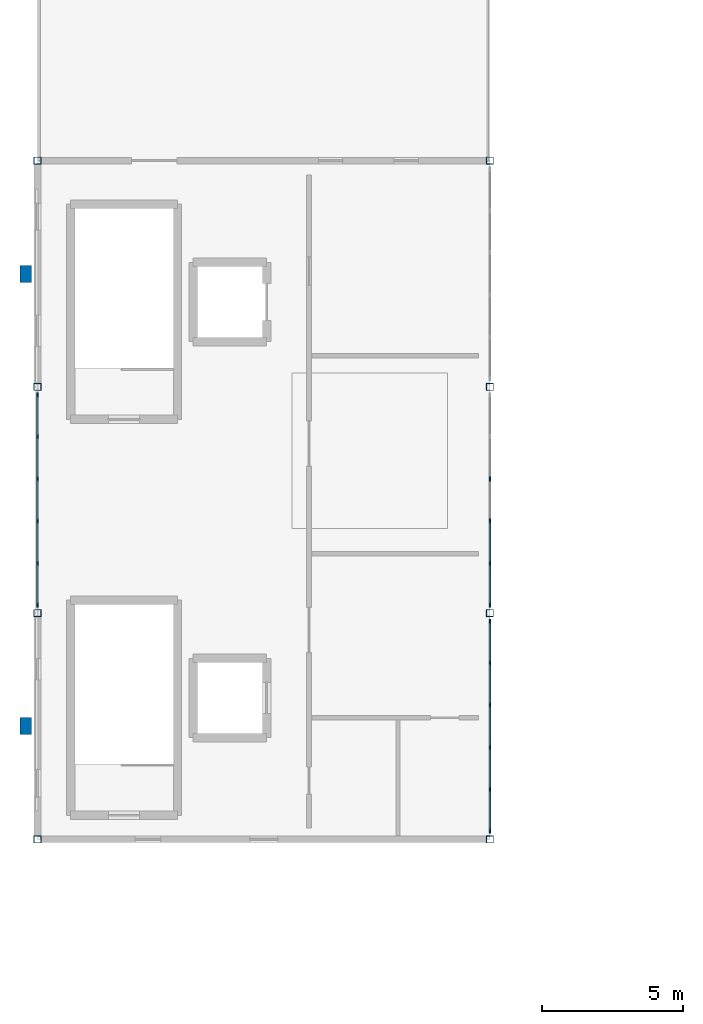
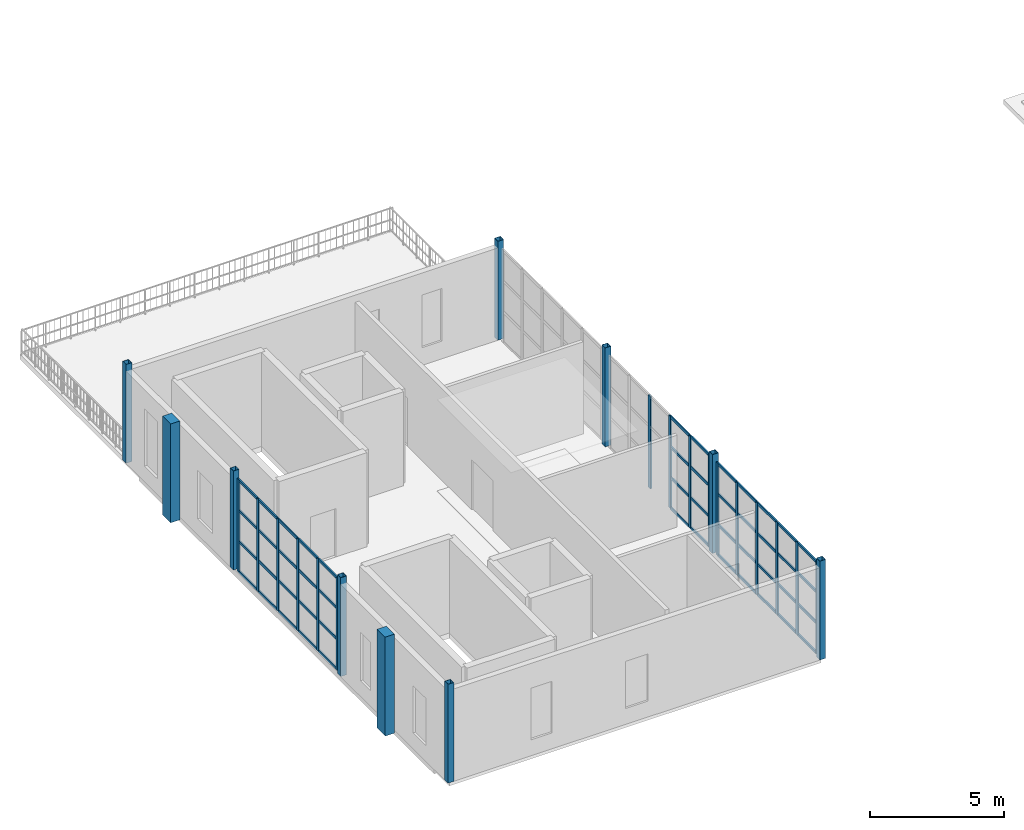
# One storey, part 1 of 9: 64 members, 10 columns, 3 elements without a shape of their own.
"""IFC4 building model written with IfcOpenShell, lengths in metres."""

import ifcopenshell
import ifcopenshell.guid

model = None  # the IFC model being written
_history = None  # IfcOwnerHistory: only IFC2X3 demands one
_inside = {}  # id of a spatial element -> (the spatial element, [elements in it])
_under = {}  # id of a project, library or spatial element -> (it, [spatial elements below it])
_declared = {}  # id of a project -> (the project, [libraries it declares])
_typed = {}  # id of a type object -> (the type object, [elements of that type])
_made_of = {}  # id of a material, layer set ... -> (it, [elements and type objects made of it])


def new_model(schema):
    """Start an empty IFC model of exactly this schema.

    Asked for "IFC4X3", IfcOpenShell would pick the latest addendum, in which some entities
    have other attributes; the version numbers below select the first issue.
    IFC2X3 requires an IfcOwnerHistory on every rooted entity: one is made here for all.
    """
    global model, _history
    if schema == "IFC4X3":
        model = ifcopenshell.file(schema_version=(4, 3, 0, 0))
    else:
        model = ifcopenshell.file(schema=schema)
    _inside.clear()
    _under.clear()
    _declared.clear()
    _typed.clear()
    _made_of.clear()
    _history = None
    if model.schema == "IFC2X3":
        org = make("IfcOrganization", Name="unknown")
        user = make(
            "IfcPersonAndOrganization",
            ThePerson=make("IfcPerson", FamilyName="unknown"),
            TheOrganization=org,
        )
        app = make(
            "IfcApplication",
            ApplicationDeveloper=org,
            Version="unknown",
            ApplicationFullName="unknown",
            ApplicationIdentifier="unknown",
        )
        _history = make(
            "IfcOwnerHistory",
            OwningUser=user,
            OwningApplication=app,
            ChangeAction="ADDED",
            CreationDate=0,
        )
    return model


def make(cls, **values):
    """One entity of the class cls with the attributes given. An attribute that is None is left unset."""
    return model.create_entity(
        cls, **{name: value for name, value in values.items() if value is not None}
    )


def rooted(cls, **values):
    """An entity with a GlobalId (a new one), such as an element, a storey or a relation."""
    return make(cls, GlobalId=ifcopenshell.guid.new(), OwnerHistory=_history, **values)


def si_unit(unit_type, name, prefix=None):
    """IfcSIUnit, for example si_unit("LENGTHUNIT", "METRE", prefix="MILLI")."""
    return make("IfcSIUnit", UnitType=unit_type, Prefix=prefix, Name=name)


def assignment(units):
    """IfcUnitAssignment: the units of a project."""
    return None if units is None else make("IfcUnitAssignment", Units=units)


def point(xyz):
    """IfcCartesianPoint."""
    return None if xyz is None else make("IfcCartesianPoint", Coordinates=xyz)


def direction(xyz):
    """IfcDirection."""
    return None if xyz is None else make("IfcDirection", DirectionRatios=xyz)


def frame(location, z_axis=None, x_axis=None):
    """IfcAxis2Placement3D, a coordinate frame: its origin and axes. An axis left out is left unset."""
    return make(
        "IfcAxis2Placement3D",
        Location=point(location),
        Axis=direction(z_axis),
        RefDirection=direction(x_axis),
    )


def frame_2d(location, x_axis=None):
    """IfcAxis2Placement2D, a coordinate frame in the plane: its origin and x axis."""
    return make(
        "IfcAxis2Placement2D", Location=point(location), RefDirection=direction(x_axis)
    )


def origin():
    """The frame at (0, 0, 0) with its axes left unset."""
    return frame((0.0, 0.0, 0.0))


def origin_2d():
    """The frame at (0, 0) in the plane with its x axis left unset."""
    return frame_2d((0.0, 0.0))


def place(relative_to, where):
    """IfcLocalPlacement: puts the frame where relative to a parent placement (None: the world)."""
    return make(
        "IfcLocalPlacement", PlacementRelTo=relative_to, RelativePlacement=where
    )


def context(
    kind, dimensions, precision=None, world=None, true_north=None, identifier=None
):
    """IfcGeometricRepresentationContext, for example the 3D "Model" context."""
    return make(
        "IfcGeometricRepresentationContext",
        ContextIdentifier=identifier,
        ContextType=kind,
        CoordinateSpaceDimension=dimensions,
        Precision=precision,
        WorldCoordinateSystem=world,
        TrueNorth=true_north,
    )


def subcontext(parent, identifier, kind, view, scale=None):
    """IfcGeometricRepresentationSubContext, for example "Body" below "Model"."""
    return make(
        "IfcGeometricRepresentationSubContext",
        ContextIdentifier=identifier,
        ContextType=kind,
        ParentContext=parent,
        TargetScale=scale,
        TargetView=view,
    )


def project(units=None, contexts=None):
    """IfcProject with its units and contexts."""
    return rooted(
        "IfcProject",
        Name="project",
        RepresentationContexts=contexts,
        UnitsInContext=assignment(units),
    )


def spatial(cls, under=None, at=None, **own):
    """A site, building, storey or space (cls), placed at a placement, below another one or the project."""
    s = rooted(cls, ObjectPlacement=at, **own)
    if under is not None:
        _under.setdefault(under.id(), (under, []))[1].append(s)
    return s


def profile(cls, at=None, kind="AREA", **sizes):
    """A parametric profile (cls). Its sizes go by their IFC names, for example OverallWidth=200.0."""
    return make(cls, ProfileType=kind, Position=at, **sizes)


def rectangle(**sizes):
    """IfcRectangleProfileDef."""
    return profile("IfcRectangleProfileDef", **sizes)


def hollow_rectangle(**sizes):
    """IfcRectangleHollowProfileDef."""
    return profile("IfcRectangleHollowProfileDef", **sizes)


def extrude(swept, where, along, depth):
    """IfcExtrudedAreaSolid: the profile swept, set in the frame where, extruded along a direction by depth."""
    return make(
        "IfcExtrudedAreaSolid",
        SweptArea=swept,
        Position=where,
        ExtrudedDirection=direction(along),
        Depth=depth,
    )


def shape(context_of_items, identifier, shape_type, items):
    """IfcShapeRepresentation: the items that make up one representation, for example the "Body"."""
    return make(
        "IfcShapeRepresentation",
        ContextOfItems=context_of_items,
        RepresentationIdentifier=identifier,
        RepresentationType=shape_type,
        Items=items,
    )


def material(Name=None, Category=None):
    """IfcMaterial."""
    return make("IfcMaterial", Name=Name, Category=Category)


def material_profile(
    of_material, cross_section, Name=None, Category=None, Priority=None
):
    """IfcMaterialProfile: a cross section and its material."""
    return make(
        "IfcMaterialProfile",
        Name=Name,
        Material=of_material,
        Profile=cross_section,
        Priority=Priority,
        Category=Category,
    )


def profile_set(profiles, Name=None, composite=None):
    """IfcMaterialProfileSet."""
    return make(
        "IfcMaterialProfileSet",
        Name=Name,
        MaterialProfiles=profiles,
        CompositeProfile=composite,
    )


def made_of(thing, what):
    """Note that an element or type object is made of a material, layer set ...; save() writes the relation."""
    if what is not None:
        _made_of.setdefault(what.id(), (what, []))[1].append(thing)
    return thing


def type_object(cls, material=None, **own):
    """A type object (cls), such as IfcWallType, which elements share."""
    return made_of(rooted(cls, **own), material)


def element(
    cls,
    number,
    at=None,
    inside=None,
    cuts=None,
    type_object=None,
    material=None,
    context=None,
    identifier="Body",
    shape_type=None,
    held_by="IfcProductDefinitionShape",
    body=None,
    shapes=None,
    **own,
):
    """One element of the class cls, such as IfcWall. Its Tag is "e" and its number.

    at: its placement. inside: the storey or other place that contains it. cuts: it is an
    opening in that element (IfcRelVoidsElement). A single representation is given by context,
    identifier, shape_type and body (its items); several are given by shapes. held_by: the class
    of the entity that holds the representations. save() writes the other relations.
    """
    e = rooted(cls, Tag="e%d" % number, ObjectPlacement=at, **own)
    if body is not None:
        shapes = [shape(context, identifier, shape_type, body)]
    if shapes is not None:
        e.Representation = make(held_by, Representations=shapes)
    if inside is not None:
        _inside.setdefault(inside.id(), (inside, []))[1].append(e)
    if cuts is not None:
        rooted(
            "IfcRelVoidsElement", RelatingBuildingElement=cuts, RelatedOpeningElement=e
        )
    if type_object is not None:
        _typed.setdefault(type_object.id(), (type_object, []))[1].append(e)
    return made_of(e, material)


def aggregate(whole, parts):
    """IfcRelAggregates: a whole, such as a stair, and the parts it consists of."""
    return rooted("IfcRelAggregates", RelatingObject=whole, RelatedObjects=parts)


def save(model, path):
    """Write the relations noted so far, then the file.

    IfcRelAggregates (storeys below a building ...), IfcRelContainedInSpatialStructure (elements
    in a storey), IfcRelDefinesByType, IfcRelAssociatesMaterial and IfcRelDeclares: one each for
    every whole, place, type object, material and project.
    """
    for whole, parts in _under.values():
        aggregate(whole, parts)
    for where, things in _inside.values():
        rooted(
            "IfcRelContainedInSpatialStructure",
            RelatedElements=things,
            RelatingStructure=where,
        )
    for kind, things in _typed.values():
        rooted("IfcRelDefinesByType", RelatedObjects=things, RelatingType=kind)
    for what, things in _made_of.values():
        rooted("IfcRelAssociatesMaterial", RelatedObjects=things, RelatingMaterial=what)
    for by, libraries in _declared.values():
        rooted("IfcRelDeclares", RelatingContext=by, RelatedDefinitions=libraries)
    model.write(path)


model = new_model("IFC4")

# Units and contexts
model_context = context("Model", 3, precision=1e-05, world=origin(), true_north=direction((0.0, 1.0)))
body_context = subcontext(model_context, "Body", "Model", "MODEL_VIEW")
ifc_project = project(units=[si_unit("LENGTHUNIT", "METRE"), si_unit("AREAUNIT", "SQUARE_METRE"), si_unit("VOLUMEUNIT", "CUBIC_METRE"), si_unit("PLANEANGLEUNIT", "RADIAN"), si_unit("MASSUNIT", "GRAM", prefix="KILO")], contexts=[model_context])

# Site, building, storey
site_placement = place(None, origin())
site = spatial("IfcSite", under=ifc_project, at=site_placement, CompositionType="ELEMENT")
building_placement = place(site_placement, origin())
building = spatial("IfcBuilding", under=site, at=building_placement, Name="Serraluz Foothill Cableway Terminal", CompositionType="ELEMENT")
storey_placement = place(building_placement, frame((0.0, 0.0, 19.800048828125)))
storey = spatial("IfcBuildingStorey", under=building, at=storey_placement, Name="L04", CompositionType="ELEMENT", Elevation=19.800048828125)

# Columns
ifc_material_1 = material(Name="Steel ASTM A572 Grade 50", Category="steel")
ifc_material_profile_1 = material_profile(ifc_material_1, hollow_rectangle(XDim=0.25, YDim=0.25, WallThickness=0.011962890625, at=origin_2d()), Name="HSS250X250X12")
ifc_profile_set_1 = profile_set([ifc_material_profile_1], Name="Steel ASTM A572 Grade 50")
column_type_1 = type_object("IfcColumnType", Name="TYP-COL-HSS250", PredefinedType="COLUMN", material=ifc_profile_set_1)
for number, where, z_axis, x_axis, name in (
    (1, (0.0, 32.0, 0.0), (0.0, 0.0, 1.0), (1.0, 0.0, 0.0), "Column COL-V5-0-32-L04"),
    (2, (16.0, 32.0, 0.0), (0.0, 0.0, 1.0), (1.0, 0.0, 0.0), "Column COL-V5-16-32-L04"),
    (3, (0.0, 40.0, 0.0), (0.0, 0.0, 1.0), (1.0, 0.0, 0.0), "Column COL-V5-0-40-L04"),
    (4, (16.0, 40.0, 0.0), (0.0, 0.0, 1.0), (1.0, 0.0, 0.0), "Column COL-V5-16-40-L04"),
    (5, (0.0, 48.0, 0.0), (0.0, 0.0, 1.0), (1.0, 0.0, 0.0), "Column COL-V5-0-48-L04"),
    (6, (16.0, 48.0, 0.0), (0.0, 0.0, 1.0), (1.0, 0.0, 0.0), "Column COL-V5-16-48-L04"),
    (7, (0.0, 56.0, 0.0), (0.0, 0.0, 1.0), (1.0, 0.0, 0.0), "Column COL-V5-0-56-L04"),
    (8, (16.0, 56.0, 0.0), (0.0, 0.0, 1.0), (1.0, 0.0, 0.0), "Column COL-V5-16-56-L04"),
):
    element("IfcColumn", number, at=place(storey_placement, frame(where, z_axis=z_axis, x_axis=x_axis)), inside=storey, type_object=column_type_1, Name=name, PredefinedType="COLUMN", context=body_context, shape_type="SweptSolid", body=[
        extrude(hollow_rectangle(XDim=0.25, YDim=0.25, WallThickness=0.011962890625, at=origin_2d()), origin(), (0.0, 0.0, 1.0), 4.5),
    ])
ifc_material_2 = material(Name="Fired clay masonry brick (f'm 12 MPa)", Category="masonry")
ifc_material_profile_2 = material_profile(ifc_material_2, rectangle(XDim=0.39990234375, YDim=0.60009765625, at=origin_2d()), Name="PIL 400x600")
ifc_profile_set_2 = profile_set([ifc_material_profile_2], Name="Fired clay masonry brick (f'm 12 MPa)")
column_type_2 = type_object("IfcColumnType", Name="TYP-PIL-400X600", PredefinedType="PILASTER", material=ifc_profile_set_2)
for number, where, z_axis, x_axis, name in (
    (9, (-0.419921875, 36.0, 0.0), (0.0, 0.0, 1.0), (1.0, 0.0, 0.0), "Brick Pilaster Pier PL-40 L04"),
    (10, (-0.419921875, 52.0, 0.0), (0.0, 0.0, 1.0), (1.0, 0.0, 0.0), "Brick Pilaster Pier PL-41 L04"),
):
    element("IfcColumn", number, at=place(storey_placement, frame(where, z_axis=z_axis, x_axis=x_axis)), inside=storey, type_object=column_type_2, Name=name, PredefinedType="PILASTER", context=body_context, shape_type="SweptSolid", body=[
        extrude(rectangle(XDim=0.39990234375, YDim=0.60009765625, at=origin_2d()), origin(), (0.0, 0.0, 1.0), 4.5),
    ])

# Curtain wall, members
ifc_material_3 = material(Name="Architectural bronze alloy C28000", Category="aluminium")
curtain_wall_type_1 = type_object("IfcCurtainWallType", Name="TYP-CW-680X420", PredefinedType="NOTDEFINED", material=ifc_material_3)
curtain_wall_1_placement = place(storey_placement, origin())
curtain_wall_1 = element("IfcCurtainWall", 11, at=curtain_wall_1_placement, inside=storey, type_object=curtain_wall_type_1, Name="Ribbed Glazed Curtain Wall CW-V5E-L04-32", PredefinedType="NOTDEFINED")
ifc_material_profile_3 = material_profile(ifc_material_3, rectangle(XDim=0.06005859375, YDim=0.159912109375, at=origin_2d()), Name="ALU MULLION 60x160")
ifc_profile_set_3 = profile_set([ifc_material_profile_3], Name="Architectural bronze alloy C28000")
member_type_1 = type_object("IfcMemberType", Name="TYP-CW-MUL-60X160", PredefinedType="MULLION", material=ifc_profile_set_3)
member_1_placement = place(storey_placement, frame((16.0, 39.705078125, 0.0), z_axis=(0.0, 0.0, 1.0), x_axis=(1.0, 0.0, 0.0)))
member_1 = element("IfcMember", 12, at=member_1_placement, type_object=member_type_1, Name="CW-13 mullion 1", PredefinedType="MULLION", context=body_context, shape_type="SweptSolid", body=[
    extrude(rectangle(XDim=0.06005859375, YDim=0.159912109375, at=origin_2d()), origin(), (0.0, 0.0, 1.0), 4.199951171875),
])
member_2_placement = place(storey_placement, frame((16.0, 38.240966796875, 0.0), z_axis=(0.0, 0.0, 1.0), x_axis=(1.0, 0.0, 0.0)))
member_2 = element("IfcMember", 13, at=member_2_placement, type_object=member_type_1, Name="CW-13 mullion 2", PredefinedType="MULLION", context=body_context, shape_type="SweptSolid", body=[
    extrude(rectangle(XDim=0.06005859375, YDim=0.159912109375, at=origin_2d()), origin(), (0.0, 0.0, 1.0), 4.199951171875),
])
member_3_placement = place(storey_placement, frame((16.0, 36.7470703125, 0.0), z_axis=(0.0, 0.0, 1.0), x_axis=(1.0, 0.0, 0.0)))
member_3 = element("IfcMember", 14, at=member_3_placement, type_object=member_type_1, Name="CW-13 mullion 3", PredefinedType="MULLION", context=body_context, shape_type="SweptSolid", body=[
    extrude(rectangle(XDim=0.06005859375, YDim=0.159912109375, at=origin_2d()), origin(), (0.0, 0.0, 1.0), 4.199951171875),
])
member_4_placement = place(storey_placement, frame((16.0, 35.2529296875, 0.0), z_axis=(0.0, 0.0, 1.0), x_axis=(1.0, 0.0, 0.0)))
member_4 = element("IfcMember", 15, at=member_4_placement, type_object=member_type_1, Name="CW-13 mullion 4", PredefinedType="MULLION", context=body_context, shape_type="SweptSolid", body=[
    extrude(rectangle(XDim=0.06005859375, YDim=0.159912109375, at=origin_2d()), origin(), (0.0, 0.0, 1.0), 4.199951171875),
])
member_5_placement = place(storey_placement, frame((16.0, 33.759033203125, 0.0), z_axis=(0.0, 0.0, 1.0), x_axis=(1.0, 0.0, 0.0)))
member_5 = element("IfcMember", 16, at=member_5_placement, type_object=member_type_1, Name="CW-13 mullion 5", PredefinedType="MULLION", context=body_context, shape_type="SweptSolid", body=[
    extrude(rectangle(XDim=0.06005859375, YDim=0.159912109375, at=origin_2d()), origin(), (0.0, 0.0, 1.0), 4.199951171875),
])
member_6_placement = place(storey_placement, frame((16.0, 32.294921875, 0.0), z_axis=(0.0, 0.0, 1.0), x_axis=(1.0, 0.0, 0.0)))
member_6 = element("IfcMember", 17, at=member_6_placement, type_object=member_type_1, Name="CW-13 mullion 6", PredefinedType="MULLION", context=body_context, shape_type="SweptSolid", body=[
    extrude(rectangle(XDim=0.06005859375, YDim=0.159912109375, at=origin_2d()), origin(), (0.0, 0.0, 1.0), 4.199951171875),
])

curtain_wall_type_2 = type_object("IfcCurtainWallType", Name="TYP-CW-520X440", PredefinedType="NOTDEFINED", material=ifc_material_3)
curtain_wall_2_placement = place(storey_placement, origin())
curtain_wall_2 = element("IfcCurtainWall", 18, at=curtain_wall_2_placement, inside=storey, type_object=curtain_wall_type_2, Name="Ribbed Glazed Curtain Wall CW-V5W-L04-40", PredefinedType="NOTDEFINED")
member_7_placement = place(storey_placement, frame((0.0, 40.294921875, 0.0), z_axis=(0.0, 0.0, 1.0), x_axis=(-1.0, 0.0, 0.0)))
member_7 = element("IfcMember", 19, at=member_7_placement, type_object=member_type_1, Name="CW-08 mullion 1", PredefinedType="MULLION", context=body_context, shape_type="SweptSolid", body=[
    extrude(rectangle(XDim=0.06005859375, YDim=0.159912109375, at=origin_2d()), origin(), (0.0, 0.0, 1.0), 4.199951171875),
])
member_8_placement = place(storey_placement, frame((0.0, 41.759033203125, 0.0), z_axis=(0.0, 0.0, 1.0), x_axis=(-1.0, 0.0, 0.0)))
member_8 = element("IfcMember", 20, at=member_8_placement, type_object=member_type_1, Name="CW-08 mullion 2", PredefinedType="MULLION", context=body_context, shape_type="SweptSolid", body=[
    extrude(rectangle(XDim=0.06005859375, YDim=0.159912109375, at=origin_2d()), origin(), (0.0, 0.0, 1.0), 4.199951171875),
])
member_9_placement = place(storey_placement, frame((0.0, 43.2529296875, 0.0), z_axis=(0.0, 0.0, 1.0), x_axis=(-1.0, 0.0, 0.0)))
member_9 = element("IfcMember", 21, at=member_9_placement, type_object=member_type_1, Name="CW-08 mullion 3", PredefinedType="MULLION", context=body_context, shape_type="SweptSolid", body=[
    extrude(rectangle(XDim=0.06005859375, YDim=0.159912109375, at=origin_2d()), origin(), (0.0, 0.0, 1.0), 4.199951171875),
])
member_10_placement = place(storey_placement, frame((0.0, 44.7470703125, 0.0), z_axis=(0.0, 0.0, 1.0), x_axis=(-1.0, 0.0, 0.0)))
member_10 = element("IfcMember", 22, at=member_10_placement, type_object=member_type_1, Name="CW-08 mullion 4", PredefinedType="MULLION", context=body_context, shape_type="SweptSolid", body=[
    extrude(rectangle(XDim=0.06005859375, YDim=0.159912109375, at=origin_2d()), origin(), (0.0, 0.0, 1.0), 4.199951171875),
])
member_11_placement = place(storey_placement, frame((0.0, 46.240966796875, 0.0), z_axis=(0.0, 0.0, 1.0), x_axis=(-1.0, 0.0, 0.0)))
member_11 = element("IfcMember", 23, at=member_11_placement, type_object=member_type_1, Name="CW-08 mullion 5", PredefinedType="MULLION", context=body_context, shape_type="SweptSolid", body=[
    extrude(rectangle(XDim=0.06005859375, YDim=0.159912109375, at=origin_2d()), origin(), (0.0, 0.0, 1.0), 4.199951171875),
])
member_12_placement = place(storey_placement, frame((0.0, 47.705078125, 0.0), z_axis=(0.0, 0.0, 1.0), x_axis=(-1.0, 0.0, 0.0)))
member_12 = element("IfcMember", 24, at=member_12_placement, type_object=member_type_1, Name="CW-08 mullion 6", PredefinedType="MULLION", context=body_context, shape_type="SweptSolid", body=[
    extrude(rectangle(XDim=0.06005859375, YDim=0.159912109375, at=origin_2d()), origin(), (0.0, 0.0, 1.0), 4.199951171875),
])

curtain_wall_type_3 = type_object("IfcCurtainWallType", Name="TYP-CW-480X380", PredefinedType="NOTDEFINED", material=ifc_material_3)
curtain_wall_3_placement = place(storey_placement, origin())
curtain_wall_3 = element("IfcCurtainWall", 25, at=curtain_wall_3_placement, inside=storey, type_object=curtain_wall_type_3, Name="Ribbed Glazed Curtain Wall CW-V5E-L04-40", PredefinedType="NOTDEFINED")
member_13_placement = place(storey_placement, frame((16.0, 44.7470703125, 0.0), z_axis=(0.0, 0.0, 1.0), x_axis=(1.0, 0.0, 0.0)))
member_13 = element("IfcMember", 26, at=member_13_placement, type_object=member_type_1, Name="CW-14 mullion 3", PredefinedType="MULLION", context=body_context, shape_type="SweptSolid", body=[
    extrude(rectangle(XDim=0.06005859375, YDim=0.159912109375, at=origin_2d()), origin(), (0.0, 0.0, 1.0), 4.199951171875),
])
member_14_placement = place(storey_placement, frame((16.0, 43.2529296875, 0.0), z_axis=(0.0, 0.0, 1.0), x_axis=(1.0, 0.0, 0.0)))
member_14 = element("IfcMember", 27, at=member_14_placement, type_object=member_type_1, Name="CW-14 mullion 4", PredefinedType="MULLION", context=body_context, shape_type="SweptSolid", body=[
    extrude(rectangle(XDim=0.06005859375, YDim=0.159912109375, at=origin_2d()), origin(), (0.0, 0.0, 1.0), 4.199951171875),
])
member_15_placement = place(storey_placement, frame((16.0, 41.759033203125, 0.0), z_axis=(0.0, 0.0, 1.0), x_axis=(1.0, 0.0, 0.0)))
member_15 = element("IfcMember", 28, at=member_15_placement, type_object=member_type_1, Name="CW-14 mullion 5", PredefinedType="MULLION", context=body_context, shape_type="SweptSolid", body=[
    extrude(rectangle(XDim=0.06005859375, YDim=0.159912109375, at=origin_2d()), origin(), (0.0, 0.0, 1.0), 4.199951171875),
])
member_16_placement = place(storey_placement, frame((16.0, 40.294921875, 0.0), z_axis=(0.0, 0.0, 1.0), x_axis=(1.0, 0.0, 0.0)))
member_16 = element("IfcMember", 29, at=member_16_placement, type_object=member_type_1, Name="CW-14 mullion 6", PredefinedType="MULLION", context=body_context, shape_type="SweptSolid", body=[
    extrude(rectangle(XDim=0.06005859375, YDim=0.159912109375, at=origin_2d()), origin(), (0.0, 0.0, 1.0), 4.199951171875),
])

# Member
ifc_material_profile_4 = material_profile(ifc_material_3, rectangle(XDim=0.06005859375, YDim=0.1201171875, at=origin_2d()), Name="ALU TRANSOM 60x120")
ifc_profile_set_4 = profile_set([ifc_material_profile_4], Name="Architectural bronze alloy C28000")
member_type_2 = type_object("IfcMemberType", Name="TYP-CW-TRN-60X120", PredefinedType="USERDEFINED", material=ifc_profile_set_4)
member_17_placement = place(storey_placement, frame((16.0, 39.675048828125, 0.030029296875), z_axis=(0.0, -1.0, 0.0), x_axis=(1.0, 0.0, 0.0)))
member_17 = element("IfcMember", 30, at=member_17_placement, type_object=member_type_2, Name="CW-13 transom 1.1", ObjectType="TRANSOM", PredefinedType="USERDEFINED", context=body_context, shape_type="SweptSolid", body=[
    extrude(rectangle(XDim=0.06005859375, YDim=0.1201171875, at=origin_2d()), origin(), (0.0, 0.0, 1.0), 1.404052734375),
])

member_18_placement = place(storey_placement, frame((16.0, 39.675048828125, 1.39990234375), z_axis=(0.0, -1.0, 0.0), x_axis=(1.0, 0.0, 0.0)))
member_18 = element("IfcMember", 31, at=member_18_placement, type_object=member_type_2, Name="CW-13 transom 1.2", ObjectType="TRANSOM", PredefinedType="USERDEFINED", context=body_context, shape_type="SweptSolid", body=[
    extrude(rectangle(XDim=0.06005859375, YDim=0.1201171875, at=origin_2d()), origin(), (0.0, 0.0, 1.0), 1.404052734375),
])

member_19_placement = place(storey_placement, frame((16.0, 39.675048828125, 2.800048828125), z_axis=(0.0, -1.0, 0.0), x_axis=(1.0, 0.0, 0.0)))
member_19 = element("IfcMember", 32, at=member_19_placement, type_object=member_type_2, Name="CW-13 transom 1.3", ObjectType="TRANSOM", PredefinedType="USERDEFINED", context=body_context, shape_type="SweptSolid", body=[
    extrude(rectangle(XDim=0.06005859375, YDim=0.1201171875, at=origin_2d()), origin(), (0.0, 0.0, 1.0), 1.404052734375),
])

member_20_placement = place(storey_placement, frame((16.0, 39.675048828125, 4.169921875), z_axis=(0.0, -1.0, 0.0), x_axis=(1.0, 0.0, 0.0)))
member_20 = element("IfcMember", 33, at=member_20_placement, type_object=member_type_2, Name="CW-13 transom 1.4", ObjectType="TRANSOM", PredefinedType="USERDEFINED", context=body_context, shape_type="SweptSolid", body=[
    extrude(rectangle(XDim=0.06005859375, YDim=0.1201171875, at=origin_2d()), origin(), (0.0, 0.0, 1.0), 1.404052734375),
])

member_21_placement = place(storey_placement, frame((16.0, 38.2109375, 0.030029296875), z_axis=(0.0, -1.0, 0.0), x_axis=(1.0, 0.0, 0.0)))
member_21 = element("IfcMember", 34, at=member_21_placement, type_object=member_type_2, Name="CW-13 transom 2.1", ObjectType="TRANSOM", PredefinedType="USERDEFINED", context=body_context, shape_type="SweptSolid", body=[
    extrude(rectangle(XDim=0.06005859375, YDim=0.1201171875, at=origin_2d()), origin(), (0.0, 0.0, 1.0), 1.433837890625),
])

member_22_placement = place(storey_placement, frame((16.0, 38.2109375, 1.39990234375), z_axis=(0.0, -1.0, 0.0), x_axis=(1.0, 0.0, 0.0)))
member_22 = element("IfcMember", 35, at=member_22_placement, type_object=member_type_2, Name="CW-13 transom 2.2", ObjectType="TRANSOM", PredefinedType="USERDEFINED", context=body_context, shape_type="SweptSolid", body=[
    extrude(rectangle(XDim=0.06005859375, YDim=0.1201171875, at=origin_2d()), origin(), (0.0, 0.0, 1.0), 1.433837890625),
])

member_23_placement = place(storey_placement, frame((16.0, 38.2109375, 2.800048828125), z_axis=(0.0, -1.0, 0.0), x_axis=(1.0, 0.0, 0.0)))
member_23 = element("IfcMember", 36, at=member_23_placement, type_object=member_type_2, Name="CW-13 transom 2.3", ObjectType="TRANSOM", PredefinedType="USERDEFINED", context=body_context, shape_type="SweptSolid", body=[
    extrude(rectangle(XDim=0.06005859375, YDim=0.1201171875, at=origin_2d()), origin(), (0.0, 0.0, 1.0), 1.433837890625),
])

member_24_placement = place(storey_placement, frame((16.0, 38.2109375, 4.169921875), z_axis=(0.0, -1.0, 0.0), x_axis=(1.0, 0.0, 0.0)))
member_24 = element("IfcMember", 37, at=member_24_placement, type_object=member_type_2, Name="CW-13 transom 2.4", ObjectType="TRANSOM", PredefinedType="USERDEFINED", context=body_context, shape_type="SweptSolid", body=[
    extrude(rectangle(XDim=0.06005859375, YDim=0.1201171875, at=origin_2d()), origin(), (0.0, 0.0, 1.0), 1.433837890625),
])

member_25_placement = place(storey_placement, frame((16.0, 36.717041015625, 0.030029296875), z_axis=(0.0, -1.0, 0.0), x_axis=(1.0, 0.0, 0.0)))
member_25 = element("IfcMember", 38, at=member_25_placement, type_object=member_type_2, Name="CW-13 transom 3.1", ObjectType="TRANSOM", PredefinedType="USERDEFINED", context=body_context, shape_type="SweptSolid", body=[
    extrude(rectangle(XDim=0.06005859375, YDim=0.1201171875, at=origin_2d()), origin(), (0.0, 0.0, 1.0), 1.43408203125),
])

member_26_placement = place(storey_placement, frame((16.0, 36.717041015625, 1.39990234375), z_axis=(0.0, -1.0, 0.0), x_axis=(1.0, 0.0, 0.0)))
member_26 = element("IfcMember", 39, at=member_26_placement, type_object=member_type_2, Name="CW-13 transom 3.2", ObjectType="TRANSOM", PredefinedType="USERDEFINED", context=body_context, shape_type="SweptSolid", body=[
    extrude(rectangle(XDim=0.06005859375, YDim=0.1201171875, at=origin_2d()), origin(), (0.0, 0.0, 1.0), 1.43408203125),
])

member_27_placement = place(storey_placement, frame((16.0, 36.717041015625, 2.800048828125), z_axis=(0.0, -1.0, 0.0), x_axis=(1.0, 0.0, 0.0)))
member_27 = element("IfcMember", 40, at=member_27_placement, type_object=member_type_2, Name="CW-13 transom 3.3", ObjectType="TRANSOM", PredefinedType="USERDEFINED", context=body_context, shape_type="SweptSolid", body=[
    extrude(rectangle(XDim=0.06005859375, YDim=0.1201171875, at=origin_2d()), origin(), (0.0, 0.0, 1.0), 1.43408203125),
])

member_28_placement = place(storey_placement, frame((16.0, 36.717041015625, 4.169921875), z_axis=(0.0, -1.0, 0.0), x_axis=(1.0, 0.0, 0.0)))
member_28 = element("IfcMember", 41, at=member_28_placement, type_object=member_type_2, Name="CW-13 transom 3.4", ObjectType="TRANSOM", PredefinedType="USERDEFINED", context=body_context, shape_type="SweptSolid", body=[
    extrude(rectangle(XDim=0.06005859375, YDim=0.1201171875, at=origin_2d()), origin(), (0.0, 0.0, 1.0), 1.43408203125),
])

member_29_placement = place(storey_placement, frame((16.0, 35.222900390625, 0.030029296875), z_axis=(0.0, -1.0, 0.0), x_axis=(1.0, 0.0, 0.0)))
member_29 = element("IfcMember", 42, at=member_29_placement, type_object=member_type_2, Name="CW-13 transom 4.1", ObjectType="TRANSOM", PredefinedType="USERDEFINED", context=body_context, shape_type="SweptSolid", body=[
    extrude(rectangle(XDim=0.06005859375, YDim=0.1201171875, at=origin_2d()), origin(), (0.0, 0.0, 1.0), 1.433837890625),
])

member_30_placement = place(storey_placement, frame((16.0, 35.222900390625, 1.39990234375), z_axis=(0.0, -1.0, 0.0), x_axis=(1.0, 0.0, 0.0)))
member_30 = element("IfcMember", 43, at=member_30_placement, type_object=member_type_2, Name="CW-13 transom 4.2", ObjectType="TRANSOM", PredefinedType="USERDEFINED", context=body_context, shape_type="SweptSolid", body=[
    extrude(rectangle(XDim=0.06005859375, YDim=0.1201171875, at=origin_2d()), origin(), (0.0, 0.0, 1.0), 1.433837890625),
])

member_31_placement = place(storey_placement, frame((16.0, 35.222900390625, 2.800048828125), z_axis=(0.0, -1.0, 0.0), x_axis=(1.0, 0.0, 0.0)))
member_31 = element("IfcMember", 44, at=member_31_placement, type_object=member_type_2, Name="CW-13 transom 4.3", ObjectType="TRANSOM", PredefinedType="USERDEFINED", context=body_context, shape_type="SweptSolid", body=[
    extrude(rectangle(XDim=0.06005859375, YDim=0.1201171875, at=origin_2d()), origin(), (0.0, 0.0, 1.0), 1.433837890625),
])

member_32_placement = place(storey_placement, frame((16.0, 35.222900390625, 4.169921875), z_axis=(0.0, -1.0, 0.0), x_axis=(1.0, 0.0, 0.0)))
member_32 = element("IfcMember", 45, at=member_32_placement, type_object=member_type_2, Name="CW-13 transom 4.4", ObjectType="TRANSOM", PredefinedType="USERDEFINED", context=body_context, shape_type="SweptSolid", body=[
    extrude(rectangle(XDim=0.06005859375, YDim=0.1201171875, at=origin_2d()), origin(), (0.0, 0.0, 1.0), 1.433837890625),
])

member_33_placement = place(storey_placement, frame((16.0, 33.72900390625, 0.030029296875), z_axis=(0.0, -1.0, 0.0), x_axis=(1.0, 0.0, 0.0)))
member_33 = element("IfcMember", 46, at=member_33_placement, type_object=member_type_2, Name="CW-13 transom 5.1", ObjectType="TRANSOM", PredefinedType="USERDEFINED", context=body_context, shape_type="SweptSolid", body=[
    extrude(rectangle(XDim=0.06005859375, YDim=0.1201171875, at=origin_2d()), origin(), (0.0, 0.0, 1.0), 1.404052734375),
])

member_34_placement = place(storey_placement, frame((16.0, 33.72900390625, 1.39990234375), z_axis=(0.0, -1.0, 0.0), x_axis=(1.0, 0.0, 0.0)))
member_34 = element("IfcMember", 47, at=member_34_placement, type_object=member_type_2, Name="CW-13 transom 5.2", ObjectType="TRANSOM", PredefinedType="USERDEFINED", context=body_context, shape_type="SweptSolid", body=[
    extrude(rectangle(XDim=0.06005859375, YDim=0.1201171875, at=origin_2d()), origin(), (0.0, 0.0, 1.0), 1.404052734375),
])

member_35_placement = place(storey_placement, frame((16.0, 33.72900390625, 2.800048828125), z_axis=(0.0, -1.0, 0.0), x_axis=(1.0, 0.0, 0.0)))
member_35 = element("IfcMember", 48, at=member_35_placement, type_object=member_type_2, Name="CW-13 transom 5.3", ObjectType="TRANSOM", PredefinedType="USERDEFINED", context=body_context, shape_type="SweptSolid", body=[
    extrude(rectangle(XDim=0.06005859375, YDim=0.1201171875, at=origin_2d()), origin(), (0.0, 0.0, 1.0), 1.404052734375),
])

member_36_placement = place(storey_placement, frame((16.0, 33.72900390625, 4.169921875), z_axis=(0.0, -1.0, 0.0), x_axis=(1.0, 0.0, 0.0)))
member_36 = element("IfcMember", 49, at=member_36_placement, type_object=member_type_2, Name="CW-13 transom 5.4", ObjectType="TRANSOM", PredefinedType="USERDEFINED", context=body_context, shape_type="SweptSolid", body=[
    extrude(rectangle(XDim=0.06005859375, YDim=0.1201171875, at=origin_2d()), origin(), (0.0, 0.0, 1.0), 1.404052734375),
])

aggregate(curtain_wall_1, [member_1, member_2, member_3, member_4, member_5, member_6, member_17, member_18, member_19, member_20, member_21, member_22, member_23, member_24, member_25, member_26, member_27, member_28, member_29, member_30, member_31, member_32, member_33, member_34, member_35, member_36])

member_37_placement = place(storey_placement, frame((0.0, 40.324951171875, 0.030029296875), z_axis=(0.0, 1.0, 0.0), x_axis=(-1.0, 0.0, 0.0)))
member_37 = element("IfcMember", 50, at=member_37_placement, type_object=member_type_2, Name="CW-08 transom 1.1", ObjectType="TRANSOM", PredefinedType="USERDEFINED", context=body_context, shape_type="SweptSolid", body=[
    extrude(rectangle(XDim=0.06005859375, YDim=0.1201171875, at=origin_2d()), origin(), (0.0, 0.0, 1.0), 1.404052734375),
])

member_38_placement = place(storey_placement, frame((0.0, 40.324951171875, 1.39990234375), z_axis=(0.0, 1.0, 0.0), x_axis=(-1.0, 0.0, 0.0)))
member_38 = element("IfcMember", 51, at=member_38_placement, type_object=member_type_2, Name="CW-08 transom 1.2", ObjectType="TRANSOM", PredefinedType="USERDEFINED", context=body_context, shape_type="SweptSolid", body=[
    extrude(rectangle(XDim=0.06005859375, YDim=0.1201171875, at=origin_2d()), origin(), (0.0, 0.0, 1.0), 1.404052734375),
])

member_39_placement = place(storey_placement, frame((0.0, 40.324951171875, 2.800048828125), z_axis=(0.0, 1.0, 0.0), x_axis=(-1.0, 0.0, 0.0)))
member_39 = element("IfcMember", 52, at=member_39_placement, type_object=member_type_2, Name="CW-08 transom 1.3", ObjectType="TRANSOM", PredefinedType="USERDEFINED", context=body_context, shape_type="SweptSolid", body=[
    extrude(rectangle(XDim=0.06005859375, YDim=0.1201171875, at=origin_2d()), origin(), (0.0, 0.0, 1.0), 1.404052734375),
])

member_40_placement = place(storey_placement, frame((0.0, 40.324951171875, 4.169921875), z_axis=(0.0, 1.0, 0.0), x_axis=(-1.0, 0.0, 0.0)))
member_40 = element("IfcMember", 53, at=member_40_placement, type_object=member_type_2, Name="CW-08 transom 1.4", ObjectType="TRANSOM", PredefinedType="USERDEFINED", context=body_context, shape_type="SweptSolid", body=[
    extrude(rectangle(XDim=0.06005859375, YDim=0.1201171875, at=origin_2d()), origin(), (0.0, 0.0, 1.0), 1.404052734375),
])

member_41_placement = place(storey_placement, frame((0.0, 41.7890625, 0.030029296875), z_axis=(0.0, 1.0, 0.0), x_axis=(-1.0, 0.0, 0.0)))
member_41 = element("IfcMember", 54, at=member_41_placement, type_object=member_type_2, Name="CW-08 transom 2.1", ObjectType="TRANSOM", PredefinedType="USERDEFINED", context=body_context, shape_type="SweptSolid", body=[
    extrude(rectangle(XDim=0.06005859375, YDim=0.1201171875, at=origin_2d()), origin(), (0.0, 0.0, 1.0), 1.433837890625),
])

member_42_placement = place(storey_placement, frame((0.0, 41.7890625, 1.39990234375), z_axis=(0.0, 1.0, 0.0), x_axis=(-1.0, 0.0, 0.0)))
member_42 = element("IfcMember", 55, at=member_42_placement, type_object=member_type_2, Name="CW-08 transom 2.2", ObjectType="TRANSOM", PredefinedType="USERDEFINED", context=body_context, shape_type="SweptSolid", body=[
    extrude(rectangle(XDim=0.06005859375, YDim=0.1201171875, at=origin_2d()), origin(), (0.0, 0.0, 1.0), 1.433837890625),
])

member_43_placement = place(storey_placement, frame((0.0, 41.7890625, 2.800048828125), z_axis=(0.0, 1.0, 0.0), x_axis=(-1.0, 0.0, 0.0)))
member_43 = element("IfcMember", 56, at=member_43_placement, type_object=member_type_2, Name="CW-08 transom 2.3", ObjectType="TRANSOM", PredefinedType="USERDEFINED", context=body_context, shape_type="SweptSolid", body=[
    extrude(rectangle(XDim=0.06005859375, YDim=0.1201171875, at=origin_2d()), origin(), (0.0, 0.0, 1.0), 1.433837890625),
])

member_44_placement = place(storey_placement, frame((0.0, 41.7890625, 4.169921875), z_axis=(0.0, 1.0, 0.0), x_axis=(-1.0, 0.0, 0.0)))
member_44 = element("IfcMember", 57, at=member_44_placement, type_object=member_type_2, Name="CW-08 transom 2.4", ObjectType="TRANSOM", PredefinedType="USERDEFINED", context=body_context, shape_type="SweptSolid", body=[
    extrude(rectangle(XDim=0.06005859375, YDim=0.1201171875, at=origin_2d()), origin(), (0.0, 0.0, 1.0), 1.433837890625),
])

member_45_placement = place(storey_placement, frame((0.0, 43.282958984375, 0.030029296875), z_axis=(0.0, 1.0, 0.0), x_axis=(-1.0, 0.0, 0.0)))
member_45 = element("IfcMember", 58, at=member_45_placement, type_object=member_type_2, Name="CW-08 transom 3.1", ObjectType="TRANSOM", PredefinedType="USERDEFINED", context=body_context, shape_type="SweptSolid", body=[
    extrude(rectangle(XDim=0.06005859375, YDim=0.1201171875, at=origin_2d()), origin(), (0.0, 0.0, 1.0), 1.43408203125),
])

member_46_placement = place(storey_placement, frame((0.0, 43.282958984375, 1.39990234375), z_axis=(0.0, 1.0, 0.0), x_axis=(-1.0, 0.0, 0.0)))
member_46 = element("IfcMember", 59, at=member_46_placement, type_object=member_type_2, Name="CW-08 transom 3.2", ObjectType="TRANSOM", PredefinedType="USERDEFINED", context=body_context, shape_type="SweptSolid", body=[
    extrude(rectangle(XDim=0.06005859375, YDim=0.1201171875, at=origin_2d()), origin(), (0.0, 0.0, 1.0), 1.43408203125),
])

member_47_placement = place(storey_placement, frame((0.0, 43.282958984375, 2.800048828125), z_axis=(0.0, 1.0, 0.0), x_axis=(-1.0, 0.0, 0.0)))
member_47 = element("IfcMember", 60, at=member_47_placement, type_object=member_type_2, Name="CW-08 transom 3.3", ObjectType="TRANSOM", PredefinedType="USERDEFINED", context=body_context, shape_type="SweptSolid", body=[
    extrude(rectangle(XDim=0.06005859375, YDim=0.1201171875, at=origin_2d()), origin(), (0.0, 0.0, 1.0), 1.43408203125),
])

member_48_placement = place(storey_placement, frame((0.0, 43.282958984375, 4.169921875), z_axis=(0.0, 1.0, 0.0), x_axis=(-1.0, 0.0, 0.0)))
member_48 = element("IfcMember", 61, at=member_48_placement, type_object=member_type_2, Name="CW-08 transom 3.4", ObjectType="TRANSOM", PredefinedType="USERDEFINED", context=body_context, shape_type="SweptSolid", body=[
    extrude(rectangle(XDim=0.06005859375, YDim=0.1201171875, at=origin_2d()), origin(), (0.0, 0.0, 1.0), 1.43408203125),
])

member_49_placement = place(storey_placement, frame((0.0, 44.777099609375, 0.030029296875), z_axis=(0.0, 1.0, 0.0), x_axis=(-1.0, 0.0, 0.0)))
member_49 = element("IfcMember", 62, at=member_49_placement, type_object=member_type_2, Name="CW-08 transom 4.1", ObjectType="TRANSOM", PredefinedType="USERDEFINED", context=body_context, shape_type="SweptSolid", body=[
    extrude(rectangle(XDim=0.06005859375, YDim=0.1201171875, at=origin_2d()), origin(), (0.0, 0.0, 1.0), 1.433837890625),
])

member_50_placement = place(storey_placement, frame((0.0, 44.777099609375, 1.39990234375), z_axis=(0.0, 1.0, 0.0), x_axis=(-1.0, 0.0, 0.0)))
member_50 = element("IfcMember", 63, at=member_50_placement, type_object=member_type_2, Name="CW-08 transom 4.2", ObjectType="TRANSOM", PredefinedType="USERDEFINED", context=body_context, shape_type="SweptSolid", body=[
    extrude(rectangle(XDim=0.06005859375, YDim=0.1201171875, at=origin_2d()), origin(), (0.0, 0.0, 1.0), 1.433837890625),
])

member_51_placement = place(storey_placement, frame((0.0, 44.777099609375, 2.800048828125), z_axis=(0.0, 1.0, 0.0), x_axis=(-1.0, 0.0, 0.0)))
member_51 = element("IfcMember", 64, at=member_51_placement, type_object=member_type_2, Name="CW-08 transom 4.3", ObjectType="TRANSOM", PredefinedType="USERDEFINED", context=body_context, shape_type="SweptSolid", body=[
    extrude(rectangle(XDim=0.06005859375, YDim=0.1201171875, at=origin_2d()), origin(), (0.0, 0.0, 1.0), 1.433837890625),
])

member_52_placement = place(storey_placement, frame((0.0, 44.777099609375, 4.169921875), z_axis=(0.0, 1.0, 0.0), x_axis=(-1.0, 0.0, 0.0)))
member_52 = element("IfcMember", 65, at=member_52_placement, type_object=member_type_2, Name="CW-08 transom 4.4", ObjectType="TRANSOM", PredefinedType="USERDEFINED", context=body_context, shape_type="SweptSolid", body=[
    extrude(rectangle(XDim=0.06005859375, YDim=0.1201171875, at=origin_2d()), origin(), (0.0, 0.0, 1.0), 1.433837890625),
])

member_53_placement = place(storey_placement, frame((0.0, 46.27099609375, 0.030029296875), z_axis=(0.0, 1.0, 0.0), x_axis=(-1.0, 0.0, 0.0)))
member_53 = element("IfcMember", 66, at=member_53_placement, type_object=member_type_2, Name="CW-08 transom 5.1", ObjectType="TRANSOM", PredefinedType="USERDEFINED", context=body_context, shape_type="SweptSolid", body=[
    extrude(rectangle(XDim=0.06005859375, YDim=0.1201171875, at=origin_2d()), origin(), (0.0, 0.0, 1.0), 1.404052734375),
])

member_54_placement = place(storey_placement, frame((0.0, 46.27099609375, 1.39990234375), z_axis=(0.0, 1.0, 0.0), x_axis=(-1.0, 0.0, 0.0)))
member_54 = element("IfcMember", 67, at=member_54_placement, type_object=member_type_2, Name="CW-08 transom 5.2", ObjectType="TRANSOM", PredefinedType="USERDEFINED", context=body_context, shape_type="SweptSolid", body=[
    extrude(rectangle(XDim=0.06005859375, YDim=0.1201171875, at=origin_2d()), origin(), (0.0, 0.0, 1.0), 1.404052734375),
])

member_55_placement = place(storey_placement, frame((0.0, 46.27099609375, 2.800048828125), z_axis=(0.0, 1.0, 0.0), x_axis=(-1.0, 0.0, 0.0)))
member_55 = element("IfcMember", 68, at=member_55_placement, type_object=member_type_2, Name="CW-08 transom 5.3", ObjectType="TRANSOM", PredefinedType="USERDEFINED", context=body_context, shape_type="SweptSolid", body=[
    extrude(rectangle(XDim=0.06005859375, YDim=0.1201171875, at=origin_2d()), origin(), (0.0, 0.0, 1.0), 1.404052734375),
])

member_56_placement = place(storey_placement, frame((0.0, 46.27099609375, 4.169921875), z_axis=(0.0, 1.0, 0.0), x_axis=(-1.0, 0.0, 0.0)))
member_56 = element("IfcMember", 69, at=member_56_placement, type_object=member_type_2, Name="CW-08 transom 5.4", ObjectType="TRANSOM", PredefinedType="USERDEFINED", context=body_context, shape_type="SweptSolid", body=[
    extrude(rectangle(XDim=0.06005859375, YDim=0.1201171875, at=origin_2d()), origin(), (0.0, 0.0, 1.0), 1.404052734375),
])

aggregate(curtain_wall_2, [member_7, member_8, member_9, member_10, member_11, member_12, member_37, member_38, member_39, member_40, member_41, member_42, member_43, member_44, member_45, member_46, member_47, member_48, member_49, member_50, member_51, member_52, member_53, member_54, member_55, member_56])

member_57_placement = place(storey_placement, frame((16.0, 43.222900390625, 0.030029296875), z_axis=(0.0, -1.0, 0.0), x_axis=(1.0, 0.0, 0.0)))
member_57 = element("IfcMember", 70, at=member_57_placement, type_object=member_type_2, Name="CW-14 transom 4.1", ObjectType="TRANSOM", PredefinedType="USERDEFINED", context=body_context, shape_type="SweptSolid", body=[
    extrude(rectangle(XDim=0.06005859375, YDim=0.1201171875, at=origin_2d()), origin(), (0.0, 0.0, 1.0), 1.433837890625),
])

member_58_placement = place(storey_placement, frame((16.0, 43.222900390625, 1.39990234375), z_axis=(0.0, -1.0, 0.0), x_axis=(1.0, 0.0, 0.0)))
member_58 = element("IfcMember", 71, at=member_58_placement, type_object=member_type_2, Name="CW-14 transom 4.2", ObjectType="TRANSOM", PredefinedType="USERDEFINED", context=body_context, shape_type="SweptSolid", body=[
    extrude(rectangle(XDim=0.06005859375, YDim=0.1201171875, at=origin_2d()), origin(), (0.0, 0.0, 1.0), 1.433837890625),
])

member_59_placement = place(storey_placement, frame((16.0, 43.222900390625, 2.800048828125), z_axis=(0.0, -1.0, 0.0), x_axis=(1.0, 0.0, 0.0)))
member_59 = element("IfcMember", 72, at=member_59_placement, type_object=member_type_2, Name="CW-14 transom 4.3", ObjectType="TRANSOM", PredefinedType="USERDEFINED", context=body_context, shape_type="SweptSolid", body=[
    extrude(rectangle(XDim=0.06005859375, YDim=0.1201171875, at=origin_2d()), origin(), (0.0, 0.0, 1.0), 1.433837890625),
])

member_60_placement = place(storey_placement, frame((16.0, 43.222900390625, 4.169921875), z_axis=(0.0, -1.0, 0.0), x_axis=(1.0, 0.0, 0.0)))
member_60 = element("IfcMember", 73, at=member_60_placement, type_object=member_type_2, Name="CW-14 transom 4.4", ObjectType="TRANSOM", PredefinedType="USERDEFINED", context=body_context, shape_type="SweptSolid", body=[
    extrude(rectangle(XDim=0.06005859375, YDim=0.1201171875, at=origin_2d()), origin(), (0.0, 0.0, 1.0), 1.433837890625),
])

member_61_placement = place(storey_placement, frame((16.0, 41.72900390625, 0.030029296875), z_axis=(0.0, -1.0, 0.0), x_axis=(1.0, 0.0, 0.0)))
member_61 = element("IfcMember", 74, at=member_61_placement, type_object=member_type_2, Name="CW-14 transom 5.1", ObjectType="TRANSOM", PredefinedType="USERDEFINED", context=body_context, shape_type="SweptSolid", body=[
    extrude(rectangle(XDim=0.06005859375, YDim=0.1201171875, at=origin_2d()), origin(), (0.0, 0.0, 1.0), 1.404052734375),
])

member_62_placement = place(storey_placement, frame((16.0, 41.72900390625, 1.39990234375), z_axis=(0.0, -1.0, 0.0), x_axis=(1.0, 0.0, 0.0)))
member_62 = element("IfcMember", 75, at=member_62_placement, type_object=member_type_2, Name="CW-14 transom 5.2", ObjectType="TRANSOM", PredefinedType="USERDEFINED", context=body_context, shape_type="SweptSolid", body=[
    extrude(rectangle(XDim=0.06005859375, YDim=0.1201171875, at=origin_2d()), origin(), (0.0, 0.0, 1.0), 1.404052734375),
])

member_63_placement = place(storey_placement, frame((16.0, 41.72900390625, 2.800048828125), z_axis=(0.0, -1.0, 0.0), x_axis=(1.0, 0.0, 0.0)))
member_63 = element("IfcMember", 76, at=member_63_placement, type_object=member_type_2, Name="CW-14 transom 5.3", ObjectType="TRANSOM", PredefinedType="USERDEFINED", context=body_context, shape_type="SweptSolid", body=[
    extrude(rectangle(XDim=0.06005859375, YDim=0.1201171875, at=origin_2d()), origin(), (0.0, 0.0, 1.0), 1.404052734375),
])

member_64_placement = place(storey_placement, frame((16.0, 41.72900390625, 4.169921875), z_axis=(0.0, -1.0, 0.0), x_axis=(1.0, 0.0, 0.0)))
member_64 = element("IfcMember", 77, at=member_64_placement, type_object=member_type_2, Name="CW-14 transom 5.4", ObjectType="TRANSOM", PredefinedType="USERDEFINED", context=body_context, shape_type="SweptSolid", body=[
    extrude(rectangle(XDim=0.06005859375, YDim=0.1201171875, at=origin_2d()), origin(), (0.0, 0.0, 1.0), 1.404052734375),
])

aggregate(curtain_wall_3, [member_13, member_14, member_15, member_16, member_57, member_58, member_59, member_60, member_61, member_62, member_63, member_64])

save(model, "model.ifc")
